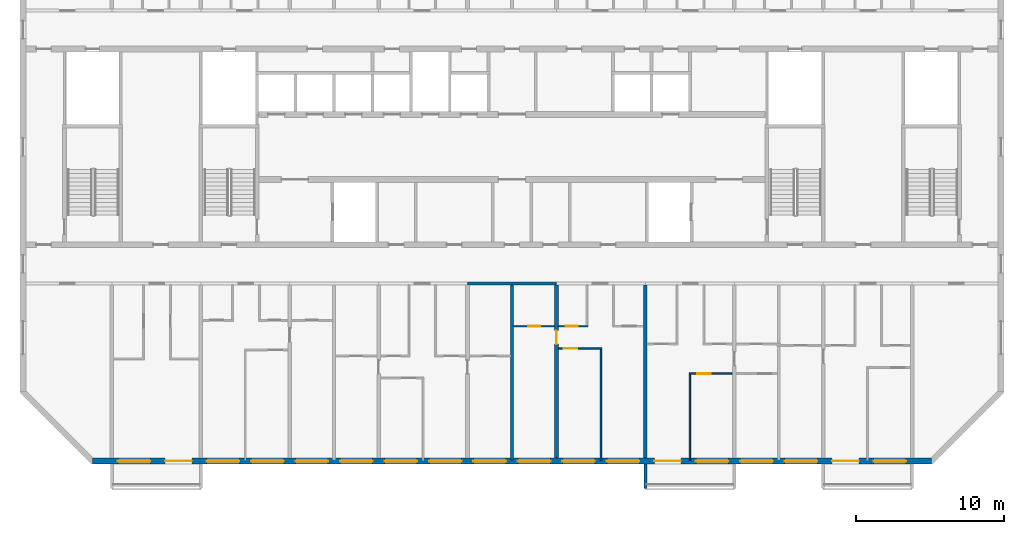
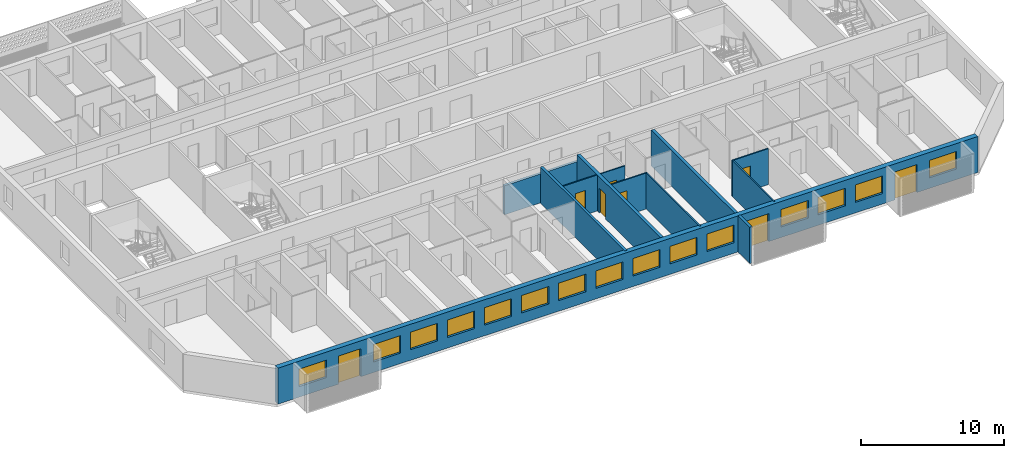
# One storey, part 4 of 28: 15 windows, 12 walls, 8 doors, 23 openings.
"""IFC4 building model written with IfcOpenShell, lengths in metres."""

from ifc_helpers import new_model, si_unit, direction, frame, frame_2d, origin, place, context, subcontext, project, spatial, polyline, rectangle, outline, extrude, source, transform, mapped, material, layer, layer_set, type_object, element, fill, save


model = new_model("IFC4")

# Units and contexts
model_context = context("Model", 3, precision=1e-05, world=origin(), true_north=direction((0.0, 1.0)))
body_context = subcontext(model_context, "Body", "Model", "MODEL_VIEW")
ifc_project = project(units=[si_unit("LENGTHUNIT", "METRE"), si_unit("AREAUNIT", "SQUARE_METRE"), si_unit("VOLUMEUNIT", "CUBIC_METRE"), si_unit("PLANEANGLEUNIT", "RADIAN"), si_unit("MASSUNIT", "GRAM", prefix="KILO")], contexts=[model_context])

# Site, building, storey
site_placement = place(None, origin())
site = spatial("IfcSite", under=ifc_project, at=site_placement, CompositionType="ELEMENT")
building_placement = place(site_placement, origin())
building = spatial("IfcBuilding", under=site, at=building_placement, Name="Poui Terraces", CompositionType="ELEMENT")
storey_placement = place(building_placement, frame((0.0, 0.0, 188.39990234375)))
storey = spatial("IfcBuildingStorey", under=building, at=storey_placement, Name="L52", CompositionType="ELEMENT", Elevation=188.39990234375)

# Wall
ifc_material_1 = material(Name="Concrete 50 MPa", Category="concrete")
ifc_layer_1 = layer(ifc_material_1, 0.199951171875)
ifc_layer_set_1 = layer_set([ifc_layer_1], Name="Concrete 50 MPa")
wall_type_1 = type_object("IfcWallType", Name="CORRIDOR WALL 200 50MPa", PredefinedType="SHEAR", material=ifc_layer_set_1)
wall_1_placement = place(storey_placement, frame((48.0, 12.0, 0.0), z_axis=(0.0, 0.0, 1.0), x_axis=(1.0, 0.0, 0.0)))
element("IfcWall", 1, at=wall_1_placement, inside=storey, type_object=wall_type_1, Name="CORRIDOR WALL LINE B BAY 6", PredefinedType="SHEAR", context=body_context, shape_type="SweptSolid", body=[
    extrude(rectangle(XDim=6.0, YDim=0.199951171875, at=frame_2d((3.0, 0.0))), origin(), (0.0, 0.0, 1.0), 2.47998046875),
])

# Wall, opening, door
ifc_layer_2 = layer(ifc_material_1, 0.25)
ifc_layer_set_2 = layer_set([ifc_layer_2], Name="Concrete 50 MPa")
wall_type_2 = type_object("IfcWallType", Name="CROSS WALL 250 50MPa", PredefinedType="SHEAR", material=ifc_layer_set_2)
wall_2_placement = place(storey_placement, frame((54.0, 0.199951171875, 0.0), z_axis=(0.0, 0.0, 1.0), x_axis=(0.0, 1.0, 0.0)))
wall_2 = element("IfcWall", 2, at=wall_2_placement, inside=storey, type_object=wall_type_2, Name="CROSS WALL LINE 10 SOUTH", PredefinedType="SHEAR", context=body_context, shape_type="SweptSolid", body=[
    extrude(rectangle(XDim=11.699951171875, YDim=0.25, at=frame_2d((5.85009765625, 0.0))), origin(), (0.0, 0.0, 1.0), 3.080078125),
])
opening_1_placement = place(wall_2_placement, frame((7.699951171875, 0.0, 0.0)))
opening_1 = element("IfcOpeningElement", 3, at=opening_1_placement, cuts=wall_2, Name="Opening D90", PredefinedType="OPENING", context=body_context, shape_type="SweptSolid", body=[
    extrude(rectangle(XDim=0.89990234375, YDim=2.10009765625, at=frame_2d((0.449951171875, 1.050048828125))), frame((0.0, 0.135009765625, 0.0), z_axis=(0.0, -1.0, 0.0), x_axis=(1.0, 0.0, 0.0)), (0.0, 0.0, 1.0), 0.27001953125),
])
ifc_material_2 = material(Name="Solid core timber door", Category="wood")
door_type_1 = type_object("IfcDoorType", Name="INTERNAL DOOR 900 X 2100", OperationType="NOTDEFINED", PredefinedType="DOOR", material=ifc_material_2)
door_1_placement = place(opening_1_placement, origin())
door_1 = element("IfcDoor", 4, at=door_1_placement, inside=storey, type_object=door_type_1, Name="INTERNAL DOOR 083", OperationType="SINGLE_SWING_RIGHT", OverallHeight=2.10009765625, OverallWidth=0.89990234375, PredefinedType="DOOR", context=body_context, shape_type="SweptSolid", body=[
    extrude(rectangle(XDim=0.89990234375, YDim=2.10009765625, at=frame_2d((0.449951171875, 1.050048828125))), frame((0.0, 0.02490234375, 0.0), z_axis=(0.0, -1.0, 0.0), x_axis=(1.0, 0.0, 0.0)), (0.0, 0.0, 1.0), 0.050048828125),
])
fill(opening_1, door_1)

# Wall
wall_3_placement = place(storey_placement, frame((60.0, 0.199951171875, 0.0), z_axis=(0.0, 0.0, 1.0), x_axis=(0.0, 1.0, 0.0)))
element("IfcWall", 5, at=wall_3_placement, inside=storey, type_object=wall_type_2, Name="CROSS WALL LINE 11 SOUTH", PredefinedType="SHEAR", context=body_context, shape_type="SweptSolid", body=[
    extrude(rectangle(XDim=11.699951171875, YDim=0.25, at=frame_2d((5.85009765625, 0.0))), origin(), (0.0, 0.0, 1.0), 3.080078125),
])

# Wall, openings, doors, windows
ifc_material_3 = material(Name="Precast concrete 40 MPa", Category="concrete")
ifc_layer_3 = layer(ifc_material_3, 0.39990234375)
ifc_layer_set_3 = layer_set([ifc_layer_3], Name="Precast concrete 40 MPa")
wall_type_3 = type_object("IfcWallType", Name="EXTERNAL WALL 400", PredefinedType="STANDARD", material=ifc_layer_set_3)
wall_4_placement = place(storey_placement, frame((22.682861328125, 0.0, 0.0), z_axis=(0.0, 0.0, 1.0), x_axis=(1.0, 0.0, 0.0)))
wall_4 = element("IfcWall", 6, at=wall_4_placement, inside=storey, type_object=wall_type_3, Name="EXTERNAL WALL S", PredefinedType="STANDARD", context=body_context, shape_type="SweptSolid", body=[
    extrude(rectangle(XDim=56.63427734375, YDim=0.39990234375, at=frame_2d((28.317138671875, 0.0))), origin(), (0.0, 0.0, 1.0), 3.080078125),
])
opening_2_placement = place(wall_4_placement, frame((1.71728515625, 0.0, 0.89990234375)))
opening_2 = element("IfcOpeningElement", 7, at=opening_2_placement, cuts=wall_4, Name="Opening W1", PredefinedType="OPENING", context=body_context, shape_type="SweptSolid", body=[
    extrude(rectangle(XDim=2.199951171875, YDim=1.5, at=frame_2d((1.10009765625, 0.75))), frame((0.0, 0.2099609375, 0.0), z_axis=(0.0, -1.0, 0.0), x_axis=(1.0, 0.0, 0.0)), (0.0, 0.0, 1.0), 0.419921875),
])
opening_3_placement = place(wall_4_placement, frame((4.917236328125, 0.0, 0.0)))
opening_3 = element("IfcOpeningElement", 8, at=opening_3_placement, cuts=wall_4, Name="Opening BD1", PredefinedType="OPENING", context=body_context, shape_type="SweptSolid", body=[
    extrude(rectangle(XDim=1.800048828125, YDim=2.39990234375, at=frame_2d((0.89990234375, 1.199951171875))), frame((0.0, 0.2099609375, 0.0), z_axis=(0.0, -1.0, 0.0), x_axis=(1.0, 0.0, 0.0)), (0.0, 0.0, 1.0), 0.419921875),
])
opening_4_placement = place(wall_4_placement, frame((7.71728515625, 0.0, 0.89990234375)))
opening_4 = element("IfcOpeningElement", 9, at=opening_4_placement, cuts=wall_4, Name="Opening W1", PredefinedType="OPENING", context=body_context, shape_type="SweptSolid", body=[
    extrude(rectangle(XDim=2.199951171875, YDim=1.5, at=frame_2d((1.10009765625, 0.75))), frame((0.0, 0.2099609375, 0.0), z_axis=(0.0, -1.0, 0.0), x_axis=(1.0, 0.0, 0.0)), (0.0, 0.0, 1.0), 0.419921875),
])
opening_5_placement = place(wall_4_placement, frame((10.71728515625, 0.0, 0.89990234375)))
opening_5 = element("IfcOpeningElement", 10, at=opening_5_placement, cuts=wall_4, Name="Opening W1", PredefinedType="OPENING", context=body_context, shape_type="SweptSolid", body=[
    extrude(rectangle(XDim=2.199951171875, YDim=1.5, at=frame_2d((1.10009765625, 0.75))), frame((0.0, 0.2099609375, 0.0), z_axis=(0.0, -1.0, 0.0), x_axis=(1.0, 0.0, 0.0)), (0.0, 0.0, 1.0), 0.419921875),
])
opening_6_placement = place(wall_4_placement, frame((13.71728515625, 0.0, 0.89990234375)))
opening_6 = element("IfcOpeningElement", 11, at=opening_6_placement, cuts=wall_4, Name="Opening W1", PredefinedType="OPENING", context=body_context, shape_type="SweptSolid", body=[
    extrude(rectangle(XDim=2.199951171875, YDim=1.5, at=frame_2d((1.10009765625, 0.75))), frame((0.0, 0.2099609375, 0.0), z_axis=(0.0, -1.0, 0.0), x_axis=(1.0, 0.0, 0.0)), (0.0, 0.0, 1.0), 0.419921875),
])
opening_7_placement = place(wall_4_placement, frame((16.71728515625, 0.0, 0.89990234375)))
opening_7 = element("IfcOpeningElement", 12, at=opening_7_placement, cuts=wall_4, Name="Opening W1", PredefinedType="OPENING", context=body_context, shape_type="SweptSolid", body=[
    extrude(rectangle(XDim=2.199951171875, YDim=1.5, at=frame_2d((1.10009765625, 0.75))), frame((0.0, 0.2099609375, 0.0), z_axis=(0.0, -1.0, 0.0), x_axis=(1.0, 0.0, 0.0)), (0.0, 0.0, 1.0), 0.419921875),
])
opening_8_placement = place(wall_4_placement, frame((19.71728515625, 0.0, 0.89990234375)))
opening_8 = element("IfcOpeningElement", 13, at=opening_8_placement, cuts=wall_4, Name="Opening W1", PredefinedType="OPENING", context=body_context, shape_type="SweptSolid", body=[
    extrude(rectangle(XDim=2.199951171875, YDim=1.5, at=frame_2d((1.10009765625, 0.75))), frame((0.0, 0.2099609375, 0.0), z_axis=(0.0, -1.0, 0.0), x_axis=(1.0, 0.0, 0.0)), (0.0, 0.0, 1.0), 0.419921875),
])
opening_9_placement = place(wall_4_placement, frame((22.71728515625, 0.0, 0.89990234375)))
opening_9 = element("IfcOpeningElement", 14, at=opening_9_placement, cuts=wall_4, Name="Opening W1", PredefinedType="OPENING", context=body_context, shape_type="SweptSolid", body=[
    extrude(rectangle(XDim=2.199951171875, YDim=1.5, at=frame_2d((1.10009765625, 0.75))), frame((0.0, 0.2099609375, 0.0), z_axis=(0.0, -1.0, 0.0), x_axis=(1.0, 0.0, 0.0)), (0.0, 0.0, 1.0), 0.419921875),
])
opening_10_placement = place(wall_4_placement, frame((25.71728515625, 0.0, 0.89990234375)))
opening_10 = element("IfcOpeningElement", 15, at=opening_10_placement, cuts=wall_4, Name="Opening W1", PredefinedType="OPENING", context=body_context, shape_type="SweptSolid", body=[
    extrude(rectangle(XDim=2.199951171875, YDim=1.5, at=frame_2d((1.10009765625, 0.75))), frame((0.0, 0.2099609375, 0.0), z_axis=(0.0, -1.0, 0.0), x_axis=(1.0, 0.0, 0.0)), (0.0, 0.0, 1.0), 0.419921875),
])
opening_11_placement = place(wall_4_placement, frame((28.71728515625, 0.0, 0.89990234375)))
opening_11 = element("IfcOpeningElement", 16, at=opening_11_placement, cuts=wall_4, Name="Opening W1", PredefinedType="OPENING", context=body_context, shape_type="SweptSolid", body=[
    extrude(rectangle(XDim=2.199951171875, YDim=1.5, at=frame_2d((1.10009765625, 0.75))), frame((0.0, 0.2099609375, 0.0), z_axis=(0.0, -1.0, 0.0), x_axis=(1.0, 0.0, 0.0)), (0.0, 0.0, 1.0), 0.419921875),
])
opening_12_placement = place(wall_4_placement, frame((31.71728515625, 0.0, 0.89990234375)))
opening_12 = element("IfcOpeningElement", 17, at=opening_12_placement, cuts=wall_4, Name="Opening W1", PredefinedType="OPENING", context=body_context, shape_type="SweptSolid", body=[
    extrude(rectangle(XDim=2.199951171875, YDim=1.5, at=frame_2d((1.10009765625, 0.75))), frame((0.0, 0.2099609375, 0.0), z_axis=(0.0, -1.0, 0.0), x_axis=(1.0, 0.0, 0.0)), (0.0, 0.0, 1.0), 0.419921875),
])
opening_13_placement = place(wall_4_placement, frame((34.71728515625, 0.0, 0.89990234375)))
opening_13 = element("IfcOpeningElement", 18, at=opening_13_placement, cuts=wall_4, Name="Opening W1", PredefinedType="OPENING", context=body_context, shape_type="SweptSolid", body=[
    extrude(rectangle(XDim=2.199951171875, YDim=1.5, at=frame_2d((1.10009765625, 0.75))), frame((0.0, 0.2099609375, 0.0), z_axis=(0.0, -1.0, 0.0), x_axis=(1.0, 0.0, 0.0)), (0.0, 0.0, 1.0), 0.419921875),
])
opening_14_placement = place(wall_4_placement, frame((37.917236328125, 0.0, 0.0)))
opening_14 = element("IfcOpeningElement", 19, at=opening_14_placement, cuts=wall_4, Name="Opening BD1", PredefinedType="OPENING", context=body_context, shape_type="SweptSolid", body=[
    extrude(rectangle(XDim=1.800048828125, YDim=2.39990234375, at=frame_2d((0.89990234375, 1.199951171875))), frame((0.0, 0.2099609375, 0.0), z_axis=(0.0, -1.0, 0.0), x_axis=(1.0, 0.0, 0.0)), (0.0, 0.0, 1.0), 0.419921875),
])
opening_15_placement = place(wall_4_placement, frame((40.71728515625, 0.0, 0.89990234375)))
opening_15 = element("IfcOpeningElement", 20, at=opening_15_placement, cuts=wall_4, Name="Opening W1", PredefinedType="OPENING", context=body_context, shape_type="SweptSolid", body=[
    extrude(rectangle(XDim=2.199951171875, YDim=1.5, at=frame_2d((1.10009765625, 0.75))), frame((0.0, 0.2099609375, 0.0), z_axis=(0.0, -1.0, 0.0), x_axis=(1.0, 0.0, 0.0)), (0.0, 0.0, 1.0), 0.419921875),
])
opening_16_placement = place(wall_4_placement, frame((43.71728515625, 0.0, 0.89990234375)))
opening_16 = element("IfcOpeningElement", 21, at=opening_16_placement, cuts=wall_4, Name="Opening W1", PredefinedType="OPENING", context=body_context, shape_type="SweptSolid", body=[
    extrude(rectangle(XDim=2.199951171875, YDim=1.5, at=frame_2d((1.10009765625, 0.75))), frame((0.0, 0.2099609375, 0.0), z_axis=(0.0, -1.0, 0.0), x_axis=(1.0, 0.0, 0.0)), (0.0, 0.0, 1.0), 0.419921875),
])
opening_17_placement = place(wall_4_placement, frame((46.71728515625, 0.0, 0.89990234375)))
opening_17 = element("IfcOpeningElement", 22, at=opening_17_placement, cuts=wall_4, Name="Opening W1", PredefinedType="OPENING", context=body_context, shape_type="SweptSolid", body=[
    extrude(rectangle(XDim=2.199951171875, YDim=1.5, at=frame_2d((1.10009765625, 0.75))), frame((0.0, 0.2099609375, 0.0), z_axis=(0.0, -1.0, 0.0), x_axis=(1.0, 0.0, 0.0)), (0.0, 0.0, 1.0), 0.419921875),
])
opening_18_placement = place(wall_4_placement, frame((49.917236328125, 0.0, 0.0)))
opening_18 = element("IfcOpeningElement", 23, at=opening_18_placement, cuts=wall_4, Name="Opening BD1", PredefinedType="OPENING", context=body_context, shape_type="SweptSolid", body=[
    extrude(rectangle(XDim=1.800048828125, YDim=2.39990234375, at=frame_2d((0.89990234375, 1.199951171875))), frame((0.0, 0.2099609375, 0.0), z_axis=(0.0, -1.0, 0.0), x_axis=(1.0, 0.0, 0.0)), (0.0, 0.0, 1.0), 0.419921875),
])
opening_19_placement = place(wall_4_placement, frame((52.71728515625, 0.0, 0.89990234375)))
opening_19 = element("IfcOpeningElement", 24, at=opening_19_placement, cuts=wall_4, Name="Opening W1", PredefinedType="OPENING", context=body_context, shape_type="SweptSolid", body=[
    extrude(rectangle(XDim=2.199951171875, YDim=1.5, at=frame_2d((1.10009765625, 0.75))), frame((0.0, 0.2099609375, 0.0), z_axis=(0.0, -1.0, 0.0), x_axis=(1.0, 0.0, 0.0)), (0.0, 0.0, 1.0), 0.419921875),
])
ifc_material_4 = material(Name="Clear glass in aluminium frame", Category="aluminium")
door_type_2 = type_object("IfcDoorType", Name="BALCONY DOOR 1800X2400", OperationType="DOUBLE_DOOR_SLIDING", PredefinedType="DOOR", material=ifc_material_4)
door_2_placement = place(opening_3_placement, origin())
door_2 = element("IfcDoor", 25, at=door_2_placement, inside=storey, type_object=door_type_2, Name="BD1 BALCONY DOOR", OperationType="DOUBLE_DOOR_SLIDING", OverallHeight=2.39990234375, OverallWidth=1.800048828125, PredefinedType="DOOR", context=body_context, shape_type="SweptSolid", body=[
    extrude(rectangle(XDim=1.800048828125, YDim=2.39990234375, at=frame_2d((0.89990234375, 1.199951171875))), frame((0.0, 0.02490234375, 0.0), z_axis=(0.0, -1.0, 0.0), x_axis=(1.0, 0.0, 0.0)), (0.0, 0.0, 1.0), 0.050048828125),
])
fill(opening_3, door_2)
door_3_placement = place(opening_14_placement, origin())
door_3 = element("IfcDoor", 26, at=door_3_placement, inside=storey, type_object=door_type_2, Name="BD1 BALCONY DOOR", OperationType="DOUBLE_DOOR_SLIDING", OverallHeight=2.39990234375, OverallWidth=1.800048828125, PredefinedType="DOOR", context=body_context, shape_type="SweptSolid", body=[
    extrude(rectangle(XDim=1.800048828125, YDim=2.39990234375, at=frame_2d((0.89990234375, 1.199951171875))), frame((0.0, 0.02490234375, 0.0), z_axis=(0.0, -1.0, 0.0), x_axis=(1.0, 0.0, 0.0)), (0.0, 0.0, 1.0), 0.050048828125),
])
fill(opening_14, door_3)
door_4_placement = place(opening_18_placement, origin())
door_4 = element("IfcDoor", 27, at=door_4_placement, inside=storey, type_object=door_type_2, Name="BD1 BALCONY DOOR", OperationType="DOUBLE_DOOR_SLIDING", OverallHeight=2.39990234375, OverallWidth=1.800048828125, PredefinedType="DOOR", context=body_context, shape_type="SweptSolid", body=[
    extrude(rectangle(XDim=1.800048828125, YDim=2.39990234375, at=frame_2d((0.89990234375, 1.199951171875))), frame((0.0, 0.02490234375, 0.0), z_axis=(0.0, -1.0, 0.0), x_axis=(1.0, 0.0, 0.0)), (0.0, 0.0, 1.0), 0.050048828125),
])
fill(opening_18, door_4)
window_type = type_object("IfcWindowType", Name="WINDOW 2200X1500", PartitioningType="DOUBLE_PANEL_HORIZONTAL", PredefinedType="WINDOW", material=ifc_material_4)
window_1_placement = place(opening_2_placement, origin())
window_1 = element("IfcWindow", 28, at=window_1_placement, inside=storey, type_object=window_type, Name="W1 WINDOW", OverallHeight=1.5, OverallWidth=2.199951171875, PartitioningType="DOUBLE_PANEL_HORIZONTAL", PredefinedType="WINDOW", context=body_context, shape_type="SweptSolid", body=[
    extrude(rectangle(XDim=2.199951171875, YDim=1.5, at=frame_2d((1.10009765625, 0.75))), frame((0.0, 0.030029296875, 0.0), z_axis=(0.0, -1.0, 0.0), x_axis=(1.0, 0.0, 0.0)), (0.0, 0.0, 1.0), 0.06005859375),
])
fill(opening_2, window_1)
window_2_placement = place(opening_4_placement, origin())
window_2 = element("IfcWindow", 29, at=window_2_placement, inside=storey, type_object=window_type, Name="W1 WINDOW", OverallHeight=1.5, OverallWidth=2.199951171875, PartitioningType="DOUBLE_PANEL_HORIZONTAL", PredefinedType="WINDOW", context=body_context, shape_type="SweptSolid", body=[
    extrude(rectangle(XDim=2.199951171875, YDim=1.5, at=frame_2d((1.10009765625, 0.75))), frame((0.0, 0.030029296875, 0.0), z_axis=(0.0, -1.0, 0.0), x_axis=(1.0, 0.0, 0.0)), (0.0, 0.0, 1.0), 0.06005859375),
])
fill(opening_4, window_2)
window_3_placement = place(opening_5_placement, origin())
window_3 = element("IfcWindow", 30, at=window_3_placement, inside=storey, type_object=window_type, Name="W1 WINDOW", OverallHeight=1.5, OverallWidth=2.199951171875, PartitioningType="DOUBLE_PANEL_HORIZONTAL", PredefinedType="WINDOW", context=body_context, shape_type="SweptSolid", body=[
    extrude(rectangle(XDim=2.199951171875, YDim=1.5, at=frame_2d((1.10009765625, 0.75))), frame((0.0, 0.030029296875, 0.0), z_axis=(0.0, -1.0, 0.0), x_axis=(1.0, 0.0, 0.0)), (0.0, 0.0, 1.0), 0.06005859375),
])
fill(opening_5, window_3)
window_4_placement = place(opening_6_placement, origin())
window_4 = element("IfcWindow", 31, at=window_4_placement, inside=storey, type_object=window_type, Name="W1 WINDOW", OverallHeight=1.5, OverallWidth=2.199951171875, PartitioningType="DOUBLE_PANEL_HORIZONTAL", PredefinedType="WINDOW", context=body_context, shape_type="SweptSolid", body=[
    extrude(rectangle(XDim=2.199951171875, YDim=1.5, at=frame_2d((1.10009765625, 0.75))), frame((0.0, 0.030029296875, 0.0), z_axis=(0.0, -1.0, 0.0), x_axis=(1.0, 0.0, 0.0)), (0.0, 0.0, 1.0), 0.06005859375),
])
fill(opening_6, window_4)
window_5_placement = place(opening_7_placement, origin())
window_5 = element("IfcWindow", 32, at=window_5_placement, inside=storey, type_object=window_type, Name="W1 WINDOW", OverallHeight=1.5, OverallWidth=2.199951171875, PartitioningType="DOUBLE_PANEL_HORIZONTAL", PredefinedType="WINDOW", context=body_context, shape_type="SweptSolid", body=[
    extrude(rectangle(XDim=2.199951171875, YDim=1.5, at=frame_2d((1.10009765625, 0.75))), frame((0.0, 0.030029296875, 0.0), z_axis=(0.0, -1.0, 0.0), x_axis=(1.0, 0.0, 0.0)), (0.0, 0.0, 1.0), 0.06005859375),
])
fill(opening_7, window_5)
window_6_placement = place(opening_8_placement, origin())
window_6 = element("IfcWindow", 33, at=window_6_placement, inside=storey, type_object=window_type, Name="W1 WINDOW", OverallHeight=1.5, OverallWidth=2.199951171875, PartitioningType="DOUBLE_PANEL_HORIZONTAL", PredefinedType="WINDOW", context=body_context, shape_type="SweptSolid", body=[
    extrude(rectangle(XDim=2.199951171875, YDim=1.5, at=frame_2d((1.10009765625, 0.75))), frame((0.0, 0.030029296875, 0.0), z_axis=(0.0, -1.0, 0.0), x_axis=(1.0, 0.0, 0.0)), (0.0, 0.0, 1.0), 0.06005859375),
])
fill(opening_8, window_6)
window_7_placement = place(opening_9_placement, origin())
window_7 = element("IfcWindow", 34, at=window_7_placement, inside=storey, type_object=window_type, Name="W1 WINDOW", OverallHeight=1.5, OverallWidth=2.199951171875, PartitioningType="DOUBLE_PANEL_HORIZONTAL", PredefinedType="WINDOW", context=body_context, shape_type="SweptSolid", body=[
    extrude(rectangle(XDim=2.199951171875, YDim=1.5, at=frame_2d((1.10009765625, 0.75))), frame((0.0, 0.030029296875, 0.0), z_axis=(0.0, -1.0, 0.0), x_axis=(1.0, 0.0, 0.0)), (0.0, 0.0, 1.0), 0.06005859375),
])
fill(opening_9, window_7)
window_8_placement = place(opening_10_placement, origin())
window_8 = element("IfcWindow", 35, at=window_8_placement, inside=storey, type_object=window_type, Name="W1 WINDOW", OverallHeight=1.5, OverallWidth=2.199951171875, PartitioningType="DOUBLE_PANEL_HORIZONTAL", PredefinedType="WINDOW", context=body_context, shape_type="SweptSolid", body=[
    extrude(rectangle(XDim=2.199951171875, YDim=1.5, at=frame_2d((1.10009765625, 0.75))), frame((0.0, 0.030029296875, 0.0), z_axis=(0.0, -1.0, 0.0), x_axis=(1.0, 0.0, 0.0)), (0.0, 0.0, 1.0), 0.06005859375),
])
fill(opening_10, window_8)
window_9_placement = place(opening_11_placement, origin())
window_9 = element("IfcWindow", 36, at=window_9_placement, inside=storey, type_object=window_type, Name="W1 WINDOW", OverallHeight=1.5, OverallWidth=2.199951171875, PartitioningType="DOUBLE_PANEL_HORIZONTAL", PredefinedType="WINDOW", context=body_context, shape_type="SweptSolid", body=[
    extrude(rectangle(XDim=2.199951171875, YDim=1.5, at=frame_2d((1.10009765625, 0.75))), frame((0.0, 0.030029296875, 0.0), z_axis=(0.0, -1.0, 0.0), x_axis=(1.0, 0.0, 0.0)), (0.0, 0.0, 1.0), 0.06005859375),
])
fill(opening_11, window_9)
window_10_placement = place(opening_12_placement, origin())
window_10 = element("IfcWindow", 37, at=window_10_placement, inside=storey, type_object=window_type, Name="W1 WINDOW", OverallHeight=1.5, OverallWidth=2.199951171875, PartitioningType="DOUBLE_PANEL_HORIZONTAL", PredefinedType="WINDOW", context=body_context, shape_type="SweptSolid", body=[
    extrude(rectangle(XDim=2.199951171875, YDim=1.5, at=frame_2d((1.10009765625, 0.75))), frame((0.0, 0.030029296875, 0.0), z_axis=(0.0, -1.0, 0.0), x_axis=(1.0, 0.0, 0.0)), (0.0, 0.0, 1.0), 0.06005859375),
])
fill(opening_12, window_10)
window_11_placement = place(opening_13_placement, origin())
window_11 = element("IfcWindow", 38, at=window_11_placement, inside=storey, type_object=window_type, Name="W1 WINDOW", OverallHeight=1.5, OverallWidth=2.199951171875, PartitioningType="DOUBLE_PANEL_HORIZONTAL", PredefinedType="WINDOW", context=body_context, shape_type="SweptSolid", body=[
    extrude(rectangle(XDim=2.199951171875, YDim=1.5, at=frame_2d((1.10009765625, 0.75))), frame((0.0, 0.030029296875, 0.0), z_axis=(0.0, -1.0, 0.0), x_axis=(1.0, 0.0, 0.0)), (0.0, 0.0, 1.0), 0.06005859375),
])
fill(opening_13, window_11)
window_12_placement = place(opening_15_placement, origin())
window_12 = element("IfcWindow", 39, at=window_12_placement, inside=storey, type_object=window_type, Name="W1 WINDOW", OverallHeight=1.5, OverallWidth=2.199951171875, PartitioningType="DOUBLE_PANEL_HORIZONTAL", PredefinedType="WINDOW", context=body_context, shape_type="SweptSolid", body=[
    extrude(rectangle(XDim=2.199951171875, YDim=1.5, at=frame_2d((1.10009765625, 0.75))), frame((0.0, 0.030029296875, 0.0), z_axis=(0.0, -1.0, 0.0), x_axis=(1.0, 0.0, 0.0)), (0.0, 0.0, 1.0), 0.06005859375),
])
fill(opening_15, window_12)
window_13_placement = place(opening_16_placement, origin())
window_13 = element("IfcWindow", 40, at=window_13_placement, inside=storey, type_object=window_type, Name="W1 WINDOW", OverallHeight=1.5, OverallWidth=2.199951171875, PartitioningType="DOUBLE_PANEL_HORIZONTAL", PredefinedType="WINDOW", context=body_context, shape_type="SweptSolid", body=[
    extrude(rectangle(XDim=2.199951171875, YDim=1.5, at=frame_2d((1.10009765625, 0.75))), frame((0.0, 0.030029296875, 0.0), z_axis=(0.0, -1.0, 0.0), x_axis=(1.0, 0.0, 0.0)), (0.0, 0.0, 1.0), 0.06005859375),
])
fill(opening_16, window_13)
window_14_placement = place(opening_17_placement, origin())
window_14 = element("IfcWindow", 41, at=window_14_placement, inside=storey, type_object=window_type, Name="W1 WINDOW", OverallHeight=1.5, OverallWidth=2.199951171875, PartitioningType="DOUBLE_PANEL_HORIZONTAL", PredefinedType="WINDOW", context=body_context, shape_type="SweptSolid", body=[
    extrude(rectangle(XDim=2.199951171875, YDim=1.5, at=frame_2d((1.10009765625, 0.75))), frame((0.0, 0.030029296875, 0.0), z_axis=(0.0, -1.0, 0.0), x_axis=(1.0, 0.0, 0.0)), (0.0, 0.0, 1.0), 0.06005859375),
])
fill(opening_17, window_14)
window_15_placement = place(opening_19_placement, origin())
window_15 = element("IfcWindow", 42, at=window_15_placement, inside=storey, type_object=window_type, Name="W1 WINDOW", OverallHeight=1.5, OverallWidth=2.199951171875, PartitioningType="DOUBLE_PANEL_HORIZONTAL", PredefinedType="WINDOW", context=body_context, shape_type="SweptSolid", body=[
    extrude(rectangle(XDim=2.199951171875, YDim=1.5, at=frame_2d((1.10009765625, 0.75))), frame((0.0, 0.030029296875, 0.0), z_axis=(0.0, -1.0, 0.0), x_axis=(1.0, 0.0, 0.0)), (0.0, 0.0, 1.0), 0.06005859375),
])
fill(opening_19, window_15)

# Wall, opening, door
ifc_material_5 = material(Name="Plasterboard partition")
ifc_layer_4 = layer(ifc_material_5, 0.10009765625)
ifc_layer_set_4 = layer_set([ifc_layer_4], Name="Plasterboard partition")
wall_type_4 = type_object("IfcWallType", Name="FLAT PARTITION 100", PredefinedType="PARTITIONING", material=ifc_layer_set_4)
wall_5_placement = place(storey_placement, frame((62.949951171875, 5.89990234375, 0.0), z_axis=(0.0, 0.0, 1.0), x_axis=(1.0, 0.0, 0.0)))
wall_5 = element("IfcWall", 43, at=wall_5_placement, inside=storey, type_object=wall_type_4, Name="FLAT PARTITION 100", PredefinedType="PARTITIONING", context=body_context, shape_type="SweptSolid", body=[
    extrude(rectangle(XDim=2.9150390625, YDim=0.10009765625, at=frame_2d((1.45751953125, 0.0))), origin(), (0.0, 0.0, 1.0), 3.080078125),
])
opening_20_placement = place(wall_5_placement, frame((0.550048828125, 0.0, 0.0)))
opening_20 = element("IfcOpeningElement", 44, at=opening_20_placement, cuts=wall_5, Name="Opening D90", PredefinedType="OPENING", context=body_context, shape_type="SweptSolid", body=[
    extrude(rectangle(XDim=0.89990234375, YDim=2.10009765625, at=frame_2d((0.449951171875, 1.050048828125))), frame((0.0, 0.06005859375, 0.0), z_axis=(0.0, -1.0, 0.0), x_axis=(1.0, 0.0, 0.0)), (0.0, 0.0, 1.0), 0.1201171875),
])
door_5_placement = place(opening_20_placement, origin())
door_5 = element("IfcDoor", 45, at=door_5_placement, inside=storey, type_object=door_type_1, Name="INTERNAL DOOR 092", OperationType="SINGLE_SWING_RIGHT", OverallHeight=2.10009765625, OverallWidth=0.89990234375, PredefinedType="DOOR", context=body_context, shape_type="SweptSolid", body=[
    extrude(rectangle(XDim=0.89990234375, YDim=2.10009765625, at=frame_2d((0.449951171875, 1.050048828125))), frame((0.0, 0.02490234375, 0.0), z_axis=(0.0, -1.0, 0.0), x_axis=(1.0, 0.0, 0.0)), (0.0, 0.0, 1.0), 0.050048828125),
])
fill(opening_20, door_5)

wall_6_placement = place(storey_placement, frame((54.135009765625, 7.60009765625, 0.0), z_axis=(0.0, 0.0, 1.0), x_axis=(1.0, 0.0, 0.0)))
wall_6 = element("IfcWall", 46, at=wall_6_placement, inside=storey, type_object=wall_type_4, Name="FLAT PARTITION 100", PredefinedType="PARTITIONING", context=body_context, shape_type="SweptSolid", body=[
    extrude(rectangle(XDim=2.9150390625, YDim=0.10009765625, at=frame_2d((1.45751953125, 0.0))), origin(), (0.0, 0.0, 1.0), 3.080078125),
])
opening_21_placement = place(wall_6_placement, frame((0.364990234375, 0.0, 0.0)))
opening_21 = element("IfcOpeningElement", 47, at=opening_21_placement, cuts=wall_6, Name="Opening D90", PredefinedType="OPENING", context=body_context, shape_type="SweptSolid", body=[
    extrude(rectangle(XDim=0.89990234375, YDim=2.10009765625, at=frame_2d((0.449951171875, 1.050048828125))), frame((0.0, 0.06005859375, 0.0), z_axis=(0.0, -1.0, 0.0), x_axis=(1.0, 0.0, 0.0)), (0.0, 0.0, 1.0), 0.1201171875),
])
door_6_placement = place(opening_21_placement, origin())
door_6 = element("IfcDoor", 48, at=door_6_placement, inside=storey, type_object=door_type_1, Name="INTERNAL DOOR 084", OperationType="SINGLE_SWING_RIGHT", OverallHeight=2.10009765625, OverallWidth=0.89990234375, PredefinedType="DOOR", context=body_context, shape_type="SweptSolid", body=[
    extrude(rectangle(XDim=0.89990234375, YDim=2.10009765625, at=frame_2d((0.449951171875, 1.050048828125))), frame((0.0, 0.02490234375, 0.0), z_axis=(0.0, -1.0, 0.0), x_axis=(1.0, 0.0, 0.0)), (0.0, 0.0, 1.0), 0.050048828125),
])
fill(opening_21, door_6)

wall_7_placement = place(storey_placement, frame((51.10009765625, 9.10009765625, 0.0), z_axis=(0.0, 0.0, 1.0), x_axis=(1.0, 0.0, 0.0)))
wall_7 = element("IfcWall", 49, at=wall_7_placement, inside=storey, type_object=wall_type_4, Name="FLAT PARTITION 100", PredefinedType="PARTITIONING", context=body_context, shape_type="SweptSolid", body=[
    extrude(rectangle(XDim=2.764892578125, YDim=0.10009765625, at=frame_2d((1.38232421875, 0.0))), origin(), (0.0, 0.0, 1.0), 3.080078125),
])
opening_22_placement = place(wall_7_placement, frame((1.0, 0.0, 0.0)))
opening_22 = element("IfcOpeningElement", 50, at=opening_22_placement, cuts=wall_7, Name="Opening D80", PredefinedType="OPENING", context=body_context, shape_type="SweptSolid", body=[
    extrude(rectangle(XDim=0.800048828125, YDim=2.10009765625, at=frame_2d((0.39990234375, 1.050048828125))), frame((0.0, 0.06005859375, 0.0), z_axis=(0.0, -1.0, 0.0), x_axis=(1.0, 0.0, 0.0)), (0.0, 0.0, 1.0), 0.1201171875),
])
door_type_3 = type_object("IfcDoorType", Name="BATHROOM, LAUNDRY AND STORE DOOR 800 X 2100", OperationType="NOTDEFINED", PredefinedType="DOOR", material=ifc_material_2)
door_7_placement = place(opening_22_placement, origin())
door_7 = element("IfcDoor", 51, at=door_7_placement, inside=storey, type_object=door_type_3, Name="BATHROOM, LAUNDRY AND STORE DOOR 082", OperationType="SINGLE_SWING_LEFT", OverallHeight=2.10009765625, OverallWidth=0.800048828125, PredefinedType="DOOR", context=body_context, shape_type="SweptSolid", body=[
    extrude(rectangle(XDim=0.800048828125, YDim=2.10009765625, at=frame_2d((0.39990234375, 1.050048828125))), frame((0.0, 0.02490234375, 0.0), z_axis=(0.0, -1.0, 0.0), x_axis=(1.0, 0.0, 0.0)), (0.0, 0.0, 1.0), 0.050048828125),
])
fill(opening_22, door_7)

wall_8_placement = place(storey_placement, frame((54.135009765625, 9.10009765625, 0.0), z_axis=(0.0, 0.0, 1.0), x_axis=(1.0, 0.0, 0.0)))
wall_8 = element("IfcWall", 52, at=wall_8_placement, inside=storey, type_object=wall_type_4, Name="FLAT PARTITION 100", PredefinedType="PARTITIONING", context=body_context, shape_type="SweptSolid", body=[
    extrude(rectangle(XDim=1.965087890625, YDim=0.10009765625, at=frame_2d((0.982421875, 0.0))), origin(), (0.0, 0.0, 1.0), 3.080078125),
])
opening_23_placement = place(wall_8_placement, frame((0.489990234375, 0.0, 0.0)))
opening_23 = element("IfcOpeningElement", 53, at=opening_23_placement, cuts=wall_8, Name="Opening D80", PredefinedType="OPENING", context=body_context, shape_type="SweptSolid", body=[
    extrude(rectangle(XDim=0.800048828125, YDim=2.10009765625, at=frame_2d((0.39990234375, 1.050048828125))), frame((0.0, 0.06005859375, 0.0), z_axis=(0.0, -1.0, 0.0), x_axis=(1.0, 0.0, 0.0)), (0.0, 0.0, 1.0), 0.1201171875),
])
door_8_placement = place(opening_23_placement, origin())
door_8 = element("IfcDoor", 54, at=door_8_placement, inside=storey, type_object=door_type_3, Name="BATHROOM, LAUNDRY AND STORE DOOR 085", OperationType="SINGLE_SWING_LEFT", OverallHeight=2.10009765625, OverallWidth=0.800048828125, PredefinedType="DOOR", context=body_context, shape_type="SweptSolid", body=[
    extrude(rectangle(XDim=0.800048828125, YDim=2.10009765625, at=frame_2d((0.39990234375, 1.050048828125))), frame((0.0, 0.02490234375, 0.0), z_axis=(0.0, -1.0, 0.0), x_axis=(1.0, 0.0, 0.0)), (0.0, 0.0, 1.0), 0.050048828125),
])
fill(opening_23, door_8)

# Walls
wall_9_placement = place(storey_placement, frame((57.0, 0.06005859375, 0.0), z_axis=(0.0, 0.0, 1.0), x_axis=(0.0, 1.0, 0.0)))
element("IfcWall", 55, at=wall_9_placement, inside=storey, type_object=wall_type_4, Name="FLAT PARTITION 100", PredefinedType="PARTITIONING", context=body_context, shape_type="SweptSolid", body=[
    extrude(rectangle(XDim=7.489990234375, YDim=0.10009765625, at=frame_2d((3.7451171875, 0.0))), origin(), (0.0, 0.0, 1.0), 3.080078125),
])
wall_10_placement = place(storey_placement, frame((63.0, 0.06005859375, 0.0), z_axis=(0.0, 0.0, 1.0), x_axis=(0.0, 1.0, 0.0)))
element("IfcWall", 56, at=wall_10_placement, inside=storey, type_object=wall_type_4, Name="FLAT PARTITION 100", PredefinedType="PARTITIONING", context=body_context, shape_type="SweptSolid", body=[
    extrude(rectangle(XDim=5.7900390625, YDim=0.10009765625, at=frame_2d((2.89501953125, 0.0))), origin(), (0.0, 0.0, 1.0), 3.080078125),
])
ifc_material_6 = material(Name="Fire-rated masonry wall", Category="masonry")
ifc_layer_5 = layer(ifc_material_6, 0.199951171875)
ifc_layer_set_5 = layer_set([ifc_layer_5], Name="Fire-rated masonry wall")
wall_type_5 = type_object("IfcWallType", Name="FLAT PARTY WALL 200", PredefinedType="PARTITIONING", material=ifc_layer_set_5)
wall_11_placement = place(storey_placement, frame((51.0, 0.06005859375, 0.0), z_axis=(0.0, 0.0, 1.0), x_axis=(0.0, 1.0, 0.0)))
element("IfcWall", 57, at=wall_11_placement, inside=storey, type_object=wall_type_5, Name="FLAT PARTY WALL 200", PredefinedType="PARTITIONING", context=body_context, shape_type="SweptSolid", body=[
    extrude(rectangle(XDim=11.829833984375, YDim=0.199951171875, at=frame_2d((5.9150390625, 0.0))), origin(), (0.0, 0.0, 1.0), 3.080078125),
])
ifc_layer_6 = layer(ifc_material_3, 0.199951171875)
ifc_layer_set_6 = layer_set([ifc_layer_6], Name="Precast concrete 40 MPa")
wall_type_6 = type_object("IfcWallType", Name="REAR FIN 200", PredefinedType="STANDARD", material=ifc_layer_set_6)
shared_shape = source(origin(), body_context, "Body", "SweptSolid", [
    extrude(outline(polyline([(0.0, 0.0), (0.2001953125, 0.0), (0.2001953125, 1.650146484375), (0.0, 1.650146484375), (0.0, 0.0)])), origin(), (0.0, 0.0, 1.0), 3.10009765625),
])
wall_12_placement = place(storey_placement, frame((59.89990234375, -1.85009765625, 0.0)))
element("IfcWall", 58, at=wall_12_placement, inside=storey, type_object=wall_type_6, Name="REAR FIN", PredefinedType="STANDARD", context=body_context, shape_type="MappedRepresentation", body=[
    mapped(shared_shape, transform((0.0, 0.0, 0.0))),
])

save(model, "model.ifc")
